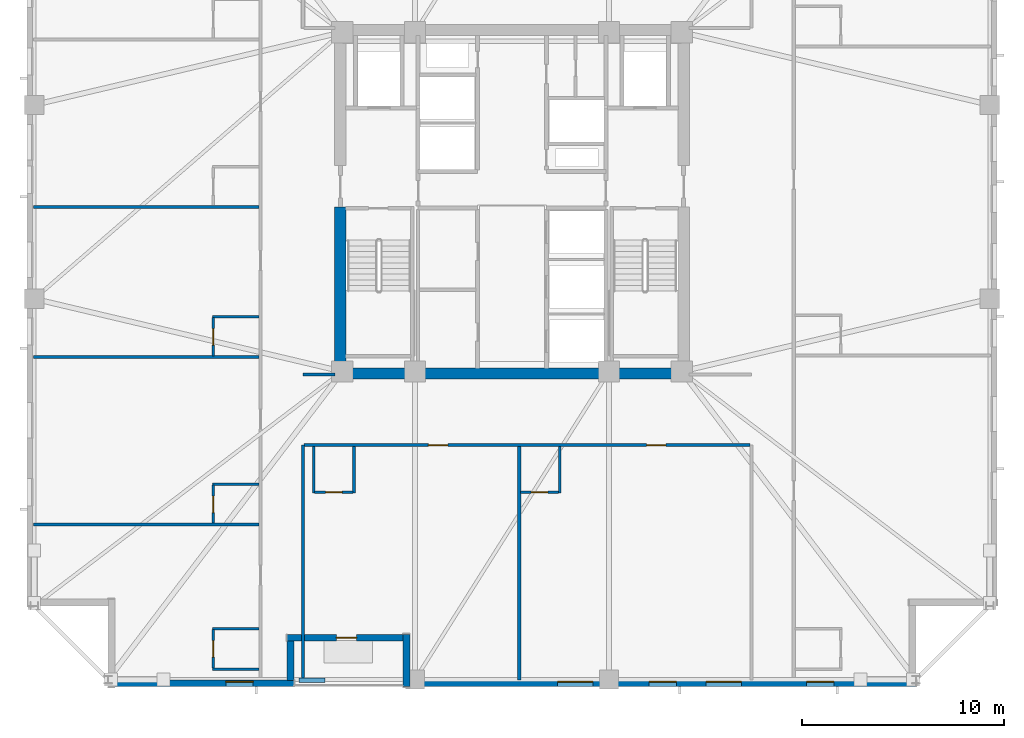
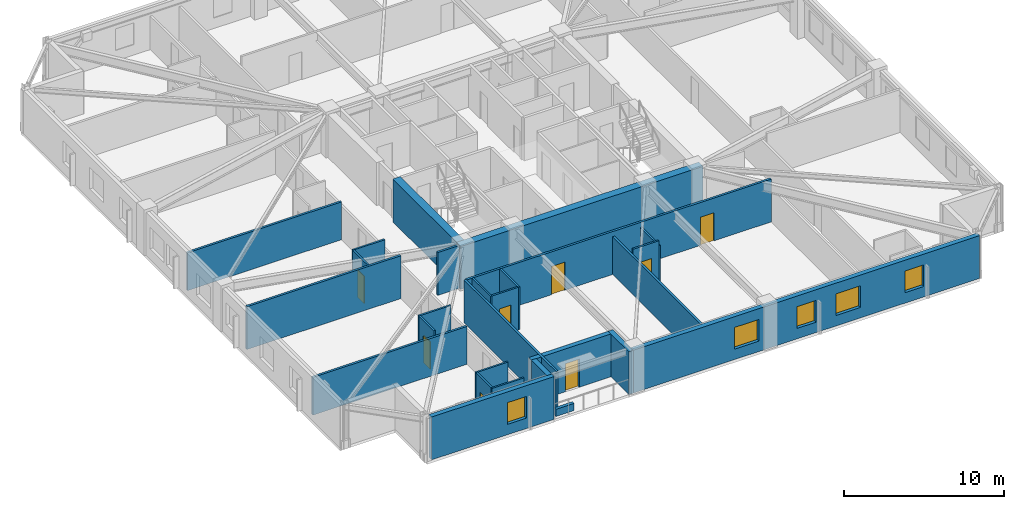
# One storey, part 2 of 11: 27 walls, 8 doors, 5 windows, 13 openings.
"""IFC4 building model written with IfcOpenShell, lengths in metres."""

from ifc_helpers import new_model, si_unit, direction, frame, frame_2d, origin, place, context, subcontext, project, spatial, rectangle, extrude, material, layer, layer_set, type_object, element, fill, save


model = new_model("IFC4")

# Units and contexts
model_context = context("Model", 3, precision=1e-05, world=origin(), true_north=direction((0.0, 1.0)))
body_context = subcontext(model_context, "Body", "Model", "MODEL_VIEW")
ifc_project = project(units=[si_unit("LENGTHUNIT", "METRE"), si_unit("AREAUNIT", "SQUARE_METRE"), si_unit("VOLUMEUNIT", "CUBIC_METRE"), si_unit("PLANEANGLEUNIT", "RADIAN"), si_unit("MASSUNIT", "GRAM", prefix="KILO")], contexts=[model_context])

# Site, building, storey
site_placement = place(None, origin())
site = spatial("IfcSite", under=ifc_project, at=site_placement, CompositionType="ELEMENT")
building_placement = place(site_placement, origin())
building = spatial("IfcBuilding", under=site, at=building_placement, Name="Cairnveth Concourse Tower", CompositionType="ELEMENT")
storey_placement = place(building_placement, frame((0.0, 0.0, 148.0)))
storey = spatial("IfcBuildingStorey", under=building, at=storey_placement, Name="L40", CompositionType="ELEMENT", Elevation=148.0)

# Walls
ifc_material_1 = material(Name="Gypsum Plasterboard Partition", Category="gypsum")
ifc_layer_1 = layer(ifc_material_1, 0.159912109375)
ifc_layer_set_1 = layer_set([ifc_layer_1], Name="Gypsum Plasterboard Partition")
wall_type_1 = type_object("IfcWallType", Name="ACOUSTIC PARTY WALL 180", PredefinedType="PARTITIONING", material=ifc_layer_set_1)
wall_1_placement = place(storey_placement, frame((41.64990234375, 15.4150390625, 0.0), z_axis=(0.0, 0.0, 1.0), x_axis=(0.0, 1.0, 0.0)))
element("IfcWall", 1, at=wall_1_placement, inside=storey, type_object=wall_type_1, Name="Interior Wall IW-L40-038", PredefinedType="PARTITIONING", context=body_context, shape_type="SweptSolid", body=[
    extrude(rectangle(XDim=11.544921875, YDim=0.159912109375, at=frame_2d((5.7724609375, 0.0))), origin(), (0.0, 0.0, 1.0), 3.280029296875),
])
wall_2_placement = place(storey_placement, frame((41.64990234375, 30.449951171875, 0.0), z_axis=(0.0, 0.0, 1.0), x_axis=(1.0, 0.0, 0.0)))
element("IfcWall", 2, at=wall_2_placement, inside=storey, type_object=wall_type_1, Name="Interior Wall IW-L40-040", PredefinedType="PARTITIONING", context=body_context, shape_type="SweptSolid", body=[
    extrude(rectangle(XDim=1.585205078125, YDim=0.159912109375, at=frame_2d((0.79248046875, 0.0))), origin(), (0.0, 0.0, 1.0), 3.280029296875),
])

# Wall, openings, doors
wall_3_placement = place(storey_placement, frame((41.715087890625, 26.9599609375, 0.0), z_axis=(0.0, 0.0, 1.0), x_axis=(1.0, 0.0, 0.0)))
wall_3 = element("IfcWall", 3, at=wall_3_placement, inside=storey, type_object=wall_type_1, Name="Interior Wall IW-L40-047", PredefinedType="PARTITIONING", context=body_context, shape_type="SweptSolid", body=[
    extrude(rectangle(XDim=22.06982421875, YDim=0.159912109375, at=frame_2d((11.034912109375, 0.0))), origin(), (0.0, 0.0, 1.0), 3.280029296875),
])
opening_1_placement = place(wall_3_placement, frame((6.14990234375, 0.0, 0.0)))
opening_1 = element("IfcOpeningElement", 4, at=opening_1_placement, cuts=wall_3, Name="Opening ID09", PredefinedType="OPENING", context=body_context, shape_type="SweptSolid", body=[
    extrude(rectangle(XDim=0.9599609375, YDim=2.14990234375, at=frame_2d((0.47998046875, 1.074951171875))), frame((0.0, 0.08984375, 0.0), z_axis=(0.0, -1.0, 0.0), x_axis=(1.0, 0.0, 0.0)), (0.0, 0.0, 1.0), 0.179931640625),
])
opening_2_placement = place(wall_3_placement, frame((16.945068359375, 0.0, 0.0)))
opening_2 = element("IfcOpeningElement", 5, at=opening_2_placement, cuts=wall_3, Name="Opening ID09", PredefinedType="OPENING", context=body_context, shape_type="SweptSolid", body=[
    extrude(rectangle(XDim=0.9599609375, YDim=2.14990234375, at=frame_2d((0.47998046875, 1.074951171875))), frame((0.0, 0.08984375, 0.0), z_axis=(0.0, -1.0, 0.0), x_axis=(1.0, 0.0, 0.0)), (0.0, 0.0, 1.0), 0.179931640625),
])
ifc_material_2 = material(Name="Solid Core Hardwood Timber Leaf", Category="wood")
door_type_1 = type_object("IfcDoorType", Name="HOTEL ENTRANCE DOOR 960X2150", OperationType="NOTDEFINED", PredefinedType="DOOR", material=ifc_material_2)
door_1_placement = place(opening_1_placement, origin())
door_1 = element("IfcDoor", 6, at=door_1_placement, inside=storey, type_object=door_type_1, Name="Hotel Room Door L40-S1", OperationType="SINGLE_SWING_RIGHT", OverallHeight=2.14990234375, OverallWidth=0.9599609375, PredefinedType="DOOR", context=body_context, shape_type="SweptSolid", body=[
    extrude(rectangle(XDim=0.9599609375, YDim=2.14990234375, at=frame_2d((0.47998046875, 1.074951171875))), frame((0.0, 0.02490234375, 0.0), z_axis=(0.0, -1.0, 0.0), x_axis=(1.0, 0.0, 0.0)), (0.0, 0.0, 1.0), 0.050048828125),
])
fill(opening_1, door_1)
door_2_placement = place(opening_2_placement, origin())
door_2 = element("IfcDoor", 7, at=door_2_placement, inside=storey, type_object=door_type_1, Name="Hotel Room Door L40-S2", OperationType="SINGLE_SWING_RIGHT", OverallHeight=2.14990234375, OverallWidth=0.9599609375, PredefinedType="DOOR", context=body_context, shape_type="SweptSolid", body=[
    extrude(rectangle(XDim=0.9599609375, YDim=2.14990234375, at=frame_2d((0.47998046875, 1.074951171875))), frame((0.0, 0.02490234375, 0.0), z_axis=(0.0, -1.0, 0.0), x_axis=(1.0, 0.0, 0.0)), (0.0, 0.0, 1.0), 0.050048828125),
])
fill(opening_2, door_2)

# Walls
wall_4_placement = place(storey_placement, frame((52.360107421875, 15.324951171875, 0.0), z_axis=(0.0, 0.0, 1.0), x_axis=(0.0, 1.0, 0.0)))
element("IfcWall", 8, at=wall_4_placement, inside=storey, type_object=wall_type_1, Name="Interior Wall IW-L40-053", PredefinedType="PARTITIONING", context=body_context, shape_type="SweptSolid", body=[
    extrude(rectangle(XDim=11.554931640625, YDim=0.159912109375, at=frame_2d((5.77734375, 0.0))), origin(), (0.0, 0.0, 1.0), 2.89599609375),
])
wall_5_placement = place(storey_placement, frame((28.324951171875, 23.026611328125, 0.0), z_axis=(0.0, 0.0, 1.0), x_axis=(1.0, 0.0, 0.0)))
element("IfcWall", 9, at=wall_5_placement, inside=storey, type_object=wall_type_1, Name="Interior Wall IW-L40-059", PredefinedType="PARTITIONING", context=body_context, shape_type="SweptSolid", body=[
    extrude(rectangle(XDim=11.14501953125, YDim=0.159912109375, at=frame_2d((5.572509765625, 0.0))), origin(), (0.0, 0.0, 1.0), 2.89599609375),
])
wall_6_placement = place(storey_placement, frame((28.324951171875, 31.3154296875, 0.0), z_axis=(0.0, 0.0, 1.0), x_axis=(1.0, 0.0, 0.0)))
element("IfcWall", 10, at=wall_6_placement, inside=storey, type_object=wall_type_1, Name="Interior Wall IW-L40-062", PredefinedType="PARTITIONING", context=body_context, shape_type="SweptSolid", body=[
    extrude(rectangle(XDim=11.14501953125, YDim=0.159912109375, at=frame_2d((5.572509765625, 0.0))), origin(), (0.0, 0.0, 1.0), 3.280029296875),
])
wall_7_placement = place(storey_placement, frame((28.324951171875, 38.74658203125, 0.0), z_axis=(0.0, 0.0, 1.0), x_axis=(1.0, 0.0, 0.0)))
element("IfcWall", 11, at=wall_7_placement, inside=storey, type_object=wall_type_1, Name="Interior Wall IW-L40-065", PredefinedType="PARTITIONING", context=body_context, shape_type="SweptSolid", body=[
    extrude(rectangle(XDim=11.14501953125, YDim=0.159912109375, at=frame_2d((5.572509765625, 0.0))), origin(), (0.0, 0.0, 1.0), 2.89599609375),
])
ifc_material_3 = material(Name="Concrete N80 (80 MPa)", Category="concrete")
ifc_layer_2 = layer(ifc_material_3, 0.550048828125)
ifc_layer_set_2 = layer_set([ifc_layer_2], Name="Concrete N80 (80 MPa)")
wall_type_2 = type_object("IfcWallType", Name="CORE SHEAR WALL 550", PredefinedType="SHEAR", material=ifc_layer_set_2)
wall_8_placement = place(storey_placement, frame((43.22509765625, 30.5, 0.0), z_axis=(0.0, 0.0, 1.0), x_axis=(1.0, 0.0, 0.0)))
element("IfcWall", 12, at=wall_8_placement, inside=storey, type_object=wall_type_2, Name="Core South Shear Wall L40", PredefinedType="SHEAR", context=body_context, shape_type="SweptSolid", body=[
    extrude(rectangle(XDim=17.5498046875, YDim=0.550048828125, at=frame_2d((8.77490234375, 0.0))), origin(), (0.0, 0.0, 1.0), 3.280029296875),
])
wall_9_placement = place(storey_placement, frame((43.5, 30.764892578125, 0.0), z_axis=(0.0, 0.0, 1.0), x_axis=(0.0, 1.0, 0.0)))
element("IfcWall", 13, at=wall_9_placement, inside=storey, type_object=wall_type_2, Name="Core West Shear Wall S L40", PredefinedType="SHEAR", context=body_context, shape_type="SweptSolid", body=[
    extrude(rectangle(XDim=7.985107421875, YDim=0.550048828125, at=frame_2d((3.99267578125, 0.0))), origin(), (0.0, 0.0, 1.0), 3.280029296875),
])
ifc_material_4 = material(Name="Dressed Melbourne Bluestone Cladding", Category="masonry")
ifc_layer_3 = layer(ifc_material_4, 0.219970703125)
ifc_layer_set_3 = layer_set([ifc_layer_3], Name="Dressed Melbourne Bluestone Cladding")
wall_type_3 = type_object("IfcWallType", Name="TERRACE PLANTER CURB WALL 220", PredefinedType="PARAPET", material=ifc_layer_set_3)
wall_10_placement = place(storey_placement, frame((41.449951171875, 15.320068359375, 0.0), z_axis=(0.0, 0.0, 1.0), x_axis=(1.0, 0.0, 0.0)))
element("IfcWall", 14, at=wall_10_placement, inside=storey, type_object=wall_type_3, Name="Exterior Wall PLNT-L40-TERR", PredefinedType="PARAPET", context=body_context, shape_type="SweptSolid", body=[
    extrude(rectangle(XDim=1.300048828125, YDim=0.219970703125, at=frame_2d((0.64990234375, 0.0))), origin(), (0.0, 0.0, 1.0), 0.550048828125),
])
ifc_layer_4 = layer(ifc_material_1, 0.1298828125)
ifc_layer_set_4 = layer_set([ifc_layer_4], Name="Gypsum Plasterboard Partition")
wall_type_4 = type_object("IfcWallType", Name="WET AREA PARTITION 140", PredefinedType="PLUMBINGWALL", material=ifc_layer_set_4)
for number, where, z_axis, x_axis, name in (
    (15, (42.179931640625, 24.580078125, 0.0), (0.0, 0.0, 1.0), (0.0, 1.0, 0.0), "Interior Wall IW-L40-050"),
    (16, (44.179931640625, 24.580078125, 0.0), (0.0, 0.0, 1.0), (0.0, 1.0, 0.0), "Interior Wall IW-L40-051"),
):
    element("IfcWall", number, at=place(storey_placement, frame(where, z_axis=z_axis, x_axis=x_axis)), inside=storey, type_object=wall_type_4, Name=name, PredefinedType="PLUMBINGWALL", context=body_context, shape_type="SweptSolid", body=[
        extrude(rectangle(XDim=2.31494140625, YDim=0.1298828125, at=frame_2d((1.157470703125, 0.0))), origin(), (0.0, 0.0, 1.0), 3.280029296875),
    ])

# Wall, opening, door
wall_11_placement = place(storey_placement, frame((42.22998046875, 24.6298828125, 0.0), z_axis=(0.0, 0.0, 1.0), x_axis=(1.0, 0.0, 0.0)))
wall_11 = element("IfcWall", 17, at=wall_11_placement, inside=storey, type_object=wall_type_4, Name="Interior Wall IW-L40-052", PredefinedType="PLUMBINGWALL", context=body_context, shape_type="SweptSolid", body=[
    extrude(rectangle(XDim=1.89990234375, YDim=0.1298828125, at=frame_2d((0.949951171875, 0.0))), origin(), (0.0, 0.0, 1.0), 3.280029296875),
])
opening_3_placement = place(wall_11_placement, frame((0.5400390625, 0.0, 0.0)))
opening_3 = element("IfcOpeningElement", 18, at=opening_3_placement, cuts=wall_11, Name="Opening ID22", PredefinedType="OPENING", context=body_context, shape_type="SweptSolid", body=[
    extrude(rectangle(XDim=0.820068359375, YDim=2.10009765625, at=frame_2d((0.41015625, 1.050048828125))), frame((0.0, 0.074951171875, 0.0), z_axis=(0.0, -1.0, 0.0), x_axis=(1.0, 0.0, 0.0)), (0.0, 0.0, 1.0), 0.14990234375),
])
door_type_2 = type_object("IfcDoorType", Name="INTERIOR WC DOOR 820X2100", OperationType="NOTDEFINED", PredefinedType="DOOR", material=ifc_material_2)
door_3_placement = place(opening_3_placement, origin())
door_3 = element("IfcDoor", 19, at=door_3_placement, inside=storey, type_object=door_type_2, Name="En-Suite Door L40-S1", OperationType="SINGLE_SWING_LEFT", OverallHeight=2.10009765625, OverallWidth=0.820068359375, PredefinedType="DOOR", context=body_context, shape_type="SweptSolid", body=[
    extrude(rectangle(XDim=0.820068359375, YDim=2.10009765625, at=frame_2d((0.41015625, 1.050048828125))), frame((0.0, 0.02490234375, 0.0), z_axis=(0.0, -1.0, 0.0), x_axis=(1.0, 0.0, 0.0)), (0.0, 0.0, 1.0), 0.050048828125),
])
fill(opening_3, door_3)

# Wall
wall_12_placement = place(storey_placement, frame((54.360107421875, 24.580078125, 0.0), z_axis=(0.0, 0.0, 1.0), x_axis=(0.0, 1.0, 0.0)))
element("IfcWall", 20, at=wall_12_placement, inside=storey, type_object=wall_type_4, Name="Interior Wall IW-L40-054", PredefinedType="PLUMBINGWALL", context=body_context, shape_type="SweptSolid", body=[
    extrude(rectangle(XDim=2.31494140625, YDim=0.1298828125, at=frame_2d((1.157470703125, 0.0))), origin(), (0.0, 0.0, 1.0), 2.89599609375),
])

# Wall, opening, door
wall_13_placement = place(storey_placement, frame((52.425048828125, 24.6298828125, 0.0), z_axis=(0.0, 0.0, 1.0), x_axis=(1.0, 0.0, 0.0)))
wall_13 = element("IfcWall", 21, at=wall_13_placement, inside=storey, type_object=wall_type_4, Name="Interior Wall IW-L40-055", PredefinedType="PLUMBINGWALL", context=body_context, shape_type="SweptSolid", body=[
    extrude(rectangle(XDim=1.885009765625, YDim=0.1298828125, at=frame_2d((0.9423828125, 0.0))), origin(), (0.0, 0.0, 1.0), 3.280029296875),
])
opening_4_placement = place(wall_13_placement, frame((0.52490234375, 0.0, 0.0)))
opening_4 = element("IfcOpeningElement", 22, at=opening_4_placement, cuts=wall_13, Name="Opening ID22", PredefinedType="OPENING", context=body_context, shape_type="SweptSolid", body=[
    extrude(rectangle(XDim=0.820068359375, YDim=2.10009765625, at=frame_2d((0.41015625, 1.050048828125))), frame((0.0, 0.074951171875, 0.0), z_axis=(0.0, -1.0, 0.0), x_axis=(1.0, 0.0, 0.0)), (0.0, 0.0, 1.0), 0.14990234375),
])
door_4_placement = place(opening_4_placement, origin())
door_4 = element("IfcDoor", 23, at=door_4_placement, inside=storey, type_object=door_type_2, Name="En-Suite Door L40-S2", OperationType="SINGLE_SWING_LEFT", OverallHeight=2.10009765625, OverallWidth=0.820068359375, PredefinedType="DOOR", context=body_context, shape_type="SweptSolid", body=[
    extrude(rectangle(XDim=0.820068359375, YDim=2.10009765625, at=frame_2d((0.41015625, 1.050048828125))), frame((0.0, 0.02490234375, 0.0), z_axis=(0.0, -1.0, 0.0), x_axis=(1.0, 0.0, 0.0)), (0.0, 0.0, 1.0), 0.050048828125),
])
fill(opening_4, door_4)

# Walls
for number, where, z_axis, x_axis, name in (
    (24, (37.169921875, 15.8701171875, 0.0), (0.0, 0.0, 1.0), (1.0, 0.0, 0.0), "Interior Wall IW-L40-056"),
    (25, (37.169921875, 17.8701171875, 0.0), (0.0, 0.0, 1.0), (1.0, 0.0, 0.0), "Interior Wall IW-L40-057"),
):
    element("IfcWall", number, at=place(storey_placement, frame(where, z_axis=z_axis, x_axis=x_axis)), inside=storey, type_object=wall_type_4, Name=name, PredefinedType="PLUMBINGWALL", context=body_context, shape_type="SweptSolid", body=[
        extrude(rectangle(XDim=2.315185546875, YDim=0.1298828125, at=frame_2d((1.15771484375, 0.0))), origin(), (0.0, 0.0, 1.0), 3.280029296875),
    ])

# Wall, opening, door
wall_14_placement = place(storey_placement, frame((37.219970703125, 15.919921875, 0.0), z_axis=(0.0, 0.0, 1.0), x_axis=(0.0, 1.0, 0.0)))
wall_14 = element("IfcWall", 26, at=wall_14_placement, inside=storey, type_object=wall_type_4, Name="Interior Wall IW-L40-058", PredefinedType="PLUMBINGWALL", context=body_context, shape_type="SweptSolid", body=[
    extrude(rectangle(XDim=1.900146484375, YDim=0.1298828125, at=frame_2d((0.9501953125, 0.0))), origin(), (0.0, 0.0, 1.0), 3.280029296875),
])
opening_5_placement = place(wall_14_placement, frame((0.5400390625, 0.0, 0.0)))
opening_5 = element("IfcOpeningElement", 27, at=opening_5_placement, cuts=wall_14, Name="Opening ID22", PredefinedType="OPENING", context=body_context, shape_type="SweptSolid", body=[
    extrude(rectangle(XDim=0.820068359375, YDim=2.10009765625, at=frame_2d((0.41015625, 1.050048828125))), frame((0.0, 0.074951171875, 0.0), z_axis=(0.0, -1.0, 0.0), x_axis=(1.0, 0.0, 0.0)), (0.0, 0.0, 1.0), 0.14990234375),
])
door_5_placement = place(opening_5_placement, origin())
door_5 = element("IfcDoor", 28, at=door_5_placement, inside=storey, type_object=door_type_2, Name="En-Suite Door L40-W1", OperationType="SINGLE_SWING_LEFT", OverallHeight=2.10009765625, OverallWidth=0.820068359375, PredefinedType="DOOR", context=body_context, shape_type="SweptSolid", body=[
    extrude(rectangle(XDim=0.820068359375, YDim=2.10009765625, at=frame_2d((0.41015625, 1.050048828125))), frame((0.0, 0.02490234375, 0.0), z_axis=(0.0, -1.0, 0.0), x_axis=(1.0, 0.0, 0.0)), (0.0, 0.0, 1.0), 0.050048828125),
])
fill(opening_5, door_5)

# Wall
wall_15_placement = place(storey_placement, frame((37.169921875, 25.026611328125, 0.0), z_axis=(0.0, 0.0, 1.0), x_axis=(1.0, 0.0, 0.0)))
element("IfcWall", 29, at=wall_15_placement, inside=storey, type_object=wall_type_4, Name="Interior Wall IW-L40-060", PredefinedType="PLUMBINGWALL", context=body_context, shape_type="SweptSolid", body=[
    extrude(rectangle(XDim=2.315185546875, YDim=0.1298828125, at=frame_2d((1.15771484375, 0.0))), origin(), (0.0, 0.0, 1.0), 3.280029296875),
])

# Wall, opening, door
wall_16_placement = place(storey_placement, frame((37.219970703125, 23.091552734375, 0.0), z_axis=(0.0, 0.0, 1.0), x_axis=(0.0, 1.0, 0.0)))
wall_16 = element("IfcWall", 30, at=wall_16_placement, inside=storey, type_object=wall_type_4, Name="Interior Wall IW-L40-061", PredefinedType="PLUMBINGWALL", context=body_context, shape_type="SweptSolid", body=[
    extrude(rectangle(XDim=1.885009765625, YDim=0.1298828125, at=frame_2d((0.9423828125, 0.0))), origin(), (0.0, 0.0, 1.0), 3.280029296875),
])
opening_6_placement = place(wall_16_placement, frame((0.52490234375, 0.0, 0.0)))
opening_6 = element("IfcOpeningElement", 31, at=opening_6_placement, cuts=wall_16, Name="Opening ID22", PredefinedType="OPENING", context=body_context, shape_type="SweptSolid", body=[
    extrude(rectangle(XDim=0.820068359375, YDim=2.10009765625, at=frame_2d((0.41015625, 1.050048828125))), frame((0.0, 0.074951171875, 0.0), z_axis=(0.0, -1.0, 0.0), x_axis=(1.0, 0.0, 0.0)), (0.0, 0.0, 1.0), 0.14990234375),
])
door_6_placement = place(opening_6_placement, origin())
door_6 = element("IfcDoor", 32, at=door_6_placement, inside=storey, type_object=door_type_2, Name="En-Suite Door L40-W2", OperationType="SINGLE_SWING_LEFT", OverallHeight=2.10009765625, OverallWidth=0.820068359375, PredefinedType="DOOR", context=body_context, shape_type="SweptSolid", body=[
    extrude(rectangle(XDim=0.820068359375, YDim=2.10009765625, at=frame_2d((0.41015625, 1.050048828125))), frame((0.0, 0.02490234375, 0.0), z_axis=(0.0, -1.0, 0.0), x_axis=(1.0, 0.0, 0.0)), (0.0, 0.0, 1.0), 0.050048828125),
])
fill(opening_6, door_6)

# Wall
wall_17_placement = place(storey_placement, frame((37.169921875, 33.3154296875, 0.0), z_axis=(0.0, 0.0, 1.0), x_axis=(1.0, 0.0, 0.0)))
element("IfcWall", 33, at=wall_17_placement, inside=storey, type_object=wall_type_4, Name="Interior Wall IW-L40-063", PredefinedType="PLUMBINGWALL", context=body_context, shape_type="SweptSolid", body=[
    extrude(rectangle(XDim=2.315185546875, YDim=0.1298828125, at=frame_2d((1.15771484375, 0.0))), origin(), (0.0, 0.0, 1.0), 3.280029296875),
])

# Wall, opening, door
wall_18_placement = place(storey_placement, frame((37.219970703125, 31.380615234375, 0.0), z_axis=(0.0, 0.0, 1.0), x_axis=(0.0, 1.0, 0.0)))
wall_18 = element("IfcWall", 34, at=wall_18_placement, inside=storey, type_object=wall_type_4, Name="Interior Wall IW-L40-064", PredefinedType="PLUMBINGWALL", context=body_context, shape_type="SweptSolid", body=[
    extrude(rectangle(XDim=1.884765625, YDim=0.1298828125, at=frame_2d((0.9423828125, 0.0))), origin(), (0.0, 0.0, 1.0), 3.280029296875),
])
opening_7_placement = place(wall_18_placement, frame((0.52490234375, 0.0, 0.0)))
opening_7 = element("IfcOpeningElement", 35, at=opening_7_placement, cuts=wall_18, Name="Opening ID22", PredefinedType="OPENING", context=body_context, shape_type="SweptSolid", body=[
    extrude(rectangle(XDim=0.820068359375, YDim=2.10009765625, at=frame_2d((0.41015625, 1.050048828125))), frame((0.0, 0.074951171875, 0.0), z_axis=(0.0, -1.0, 0.0), x_axis=(1.0, 0.0, 0.0)), (0.0, 0.0, 1.0), 0.14990234375),
])
door_7_placement = place(opening_7_placement, origin())
door_7 = element("IfcDoor", 36, at=door_7_placement, inside=storey, type_object=door_type_2, Name="En-Suite Door L40-W3", OperationType="SINGLE_SWING_LEFT", OverallHeight=2.10009765625, OverallWidth=0.820068359375, PredefinedType="DOOR", context=body_context, shape_type="SweptSolid", body=[
    extrude(rectangle(XDim=0.820068359375, YDim=2.10009765625, at=frame_2d((0.41015625, 1.050048828125))), frame((0.0, 0.02490234375, 0.0), z_axis=(0.0, -1.0, 0.0), x_axis=(1.0, 0.0, 0.0)), (0.0, 0.0, 1.0), 0.050048828125),
])
fill(opening_7, door_7)

# Wall, opening, window
ifc_material_5 = material(Name="Hawthorn Red-Ochre Fired Clay Brick Masonry", Category="masonry")
ifc_layer_5 = layer(ifc_material_5, 0.340087890625)
ifc_layer_set_5 = layer_set([ifc_layer_5], Name="Hawthorn Red-Ochre Fired Clay Brick Masonry")
wall_type_5 = type_object("IfcWallType", Name="ZONE 2 BRICK PIER SPANDREL WALL 340", PredefinedType="SOLIDWALL", material=ifc_layer_set_5)
wall_19_placement = place(storey_placement, frame((41.199951171875, 15.169921875, 0.0), z_axis=(0.0, 0.0, 1.0), x_axis=(-1.0, 0.0, 0.0)))
wall_19 = element("IfcWall", 37, at=wall_19_placement, inside=storey, type_object=wall_type_5, Name="Exterior Wall EW-L40-S00", PredefinedType="SOLIDWALL", context=body_context, shape_type="SweptSolid", body=[
    extrude(rectangle(XDim=8.8818359375, YDim=0.340087890625, at=frame_2d((4.44091796875, 0.0))), origin(), (0.0, 0.0, 1.0), 3.280029296875),
])
opening_8_placement = place(wall_19_placement, frame((2.01611328125, 0.0, 0.800048828125)))
opening_8 = element("IfcOpeningElement", 38, at=opening_8_placement, cuts=wall_19, Name="Opening W02", PredefinedType="OPENING", context=body_context, shape_type="SweptSolid", body=[
    extrude(rectangle(XDim=1.35009765625, YDim=1.659912109375, at=frame_2d((0.675048828125, 0.830078125))), frame((0.0, 0.179931640625, 0.0), z_axis=(0.0, -1.0, 0.0), x_axis=(1.0, 0.0, 0.0)), (0.0, 0.0, 1.0), 0.360107421875),
])
ifc_material_6 = material(Name="Double Glazed Low-E Clear Glass", Category="glass")
window_type_1 = type_object("IfcWindowType", Name="DEEP-SET GOTHIC LANCET WINDOW 1350X1800", PartitioningType="DOUBLE_PANEL_VERTICAL", PredefinedType="WINDOW", material=ifc_material_6)
window_1_placement = place(opening_8_placement, origin())
window_1 = element("IfcWindow", 39, at=window_1_placement, inside=storey, type_object=window_type_1, Name="Gothic Lancet Window L40-0-1", OverallHeight=1.659912109375, OverallWidth=1.35009765625, PartitioningType="SINGLE_PANEL", PredefinedType="WINDOW", context=body_context, shape_type="SweptSolid", body=[
    extrude(rectangle(XDim=1.35009765625, YDim=1.659912109375, at=frame_2d((0.675048828125, 0.830078125))), frame((0.0, -0.050048828125, 0.0), z_axis=(0.0, -1.0, 0.0), x_axis=(1.0, 0.0, 0.0)), (0.0, 0.0, 1.0), 0.06005859375),
])
fill(opening_8, window_1)

# Wall, openings, windows
wall_20_placement = place(storey_placement, frame((72.0, 15.169921875, 0.0), z_axis=(0.0, 0.0, 1.0), x_axis=(-1.0, 0.0, 0.0)))
wall_20 = element("IfcWall", 40, at=wall_20_placement, inside=storey, type_object=wall_type_5, Name="Exterior Wall EW-L40-S12", PredefinedType="SOLIDWALL", context=body_context, shape_type="SweptSolid", body=[
    extrude(rectangle(XDim=25.08203125, YDim=0.340087890625, at=frame_2d((12.541015625, 0.0))), origin(), (0.0, 0.0, 1.0), 3.280029296875),
])
opening_9_placement = place(wall_20_placement, frame((4.063232421875, 0.0, 0.800048828125)))
opening_9 = element("IfcOpeningElement", 41, at=opening_9_placement, cuts=wall_20, Name="Opening W02", PredefinedType="OPENING", context=body_context, shape_type="SweptSolid", body=[
    extrude(rectangle(XDim=1.35009765625, YDim=1.659912109375, at=frame_2d((0.675048828125, 0.830078125))), frame((0.0, 0.179931640625, 0.0), z_axis=(0.0, -1.0, 0.0), x_axis=(1.0, 0.0, 0.0)), (0.0, 0.0, 1.0), 0.360107421875),
])
opening_10_placement = place(wall_20_placement, frame((8.6396484375, 0.0, 0.800048828125)))
opening_10 = element("IfcOpeningElement", 42, at=opening_10_placement, cuts=wall_20, Name="Opening W06", PredefinedType="OPENING", context=body_context, shape_type="SweptSolid", body=[
    extrude(rectangle(XDim=1.75, YDim=1.659912109375, at=frame_2d((0.875, 0.830078125))), frame((0.0, 0.179931640625, 0.0), z_axis=(0.0, -1.0, 0.0), x_axis=(1.0, 0.0, 0.0)), (0.0, 0.0, 1.0), 0.360107421875),
])
opening_11_placement = place(wall_20_placement, frame((11.865966796875, 0.0, 0.800048828125)))
opening_11 = element("IfcOpeningElement", 43, at=opening_11_placement, cuts=wall_20, Name="Opening W02", PredefinedType="OPENING", context=body_context, shape_type="SweptSolid", body=[
    extrude(rectangle(XDim=1.35009765625, YDim=1.659912109375, at=frame_2d((0.675048828125, 0.830078125))), frame((0.0, 0.179931640625, 0.0), z_axis=(0.0, -1.0, 0.0), x_axis=(1.0, 0.0, 0.0)), (0.0, 0.0, 1.0), 0.360107421875),
])
opening_12_placement = place(wall_20_placement, frame((15.992431640625, 0.0, 0.800048828125)))
opening_12 = element("IfcOpeningElement", 44, at=opening_12_placement, cuts=wall_20, Name="Opening W06", PredefinedType="OPENING", context=body_context, shape_type="SweptSolid", body=[
    extrude(rectangle(XDim=1.75, YDim=1.659912109375, at=frame_2d((0.875, 0.830078125))), frame((0.0, 0.179931640625, 0.0), z_axis=(0.0, -1.0, 0.0), x_axis=(1.0, 0.0, 0.0)), (0.0, 0.0, 1.0), 0.360107421875),
])
window_2_placement = place(opening_9_placement, origin())
window_2 = element("IfcWindow", 45, at=window_2_placement, inside=storey, type_object=window_type_1, Name="Gothic Lancet Window L40-12-1", OverallHeight=1.659912109375, OverallWidth=1.35009765625, PartitioningType="SINGLE_PANEL", PredefinedType="WINDOW", context=body_context, shape_type="SweptSolid", body=[
    extrude(rectangle(XDim=1.35009765625, YDim=1.659912109375, at=frame_2d((0.675048828125, 0.830078125))), frame((0.0, -0.050048828125, 0.0), z_axis=(0.0, -1.0, 0.0), x_axis=(1.0, 0.0, 0.0)), (0.0, 0.0, 1.0), 0.06005859375),
])
fill(opening_9, window_2)
window_3_placement = place(opening_11_placement, origin())
window_3 = element("IfcWindow", 46, at=window_3_placement, inside=storey, type_object=window_type_1, Name="Gothic Lancet Window L40-12-3", OverallHeight=1.659912109375, OverallWidth=1.35009765625, PartitioningType="SINGLE_PANEL", PredefinedType="WINDOW", context=body_context, shape_type="SweptSolid", body=[
    extrude(rectangle(XDim=1.35009765625, YDim=1.659912109375, at=frame_2d((0.675048828125, 0.830078125))), frame((0.0, -0.050048828125, 0.0), z_axis=(0.0, -1.0, 0.0), x_axis=(1.0, 0.0, 0.0)), (0.0, 0.0, 1.0), 0.06005859375),
])
fill(opening_11, window_3)
window_type_2 = type_object("IfcWindowType", Name="DEEP-SET HOTEL SUITE WINDOW 1750X1800", PartitioningType="DOUBLE_PANEL_VERTICAL", PredefinedType="WINDOW", material=ifc_material_6)
window_4_placement = place(opening_10_placement, origin())
window_4 = element("IfcWindow", 47, at=window_4_placement, inside=storey, type_object=window_type_2, Name="Gothic Lancet Window L40-12-2", OverallHeight=1.659912109375, OverallWidth=1.75, PartitioningType="SINGLE_PANEL", PredefinedType="WINDOW", context=body_context, shape_type="SweptSolid", body=[
    extrude(rectangle(XDim=1.75, YDim=1.659912109375, at=frame_2d((0.875, 0.830078125))), frame((0.0, -0.050048828125, 0.0), z_axis=(0.0, -1.0, 0.0), x_axis=(1.0, 0.0, 0.0)), (0.0, 0.0, 1.0), 0.06005859375),
])
fill(opening_10, window_4)
window_5_placement = place(opening_12_placement, origin())
window_5 = element("IfcWindow", 48, at=window_5_placement, inside=storey, type_object=window_type_2, Name="Gothic Lancet Window L40-12-4", OverallHeight=1.659912109375, OverallWidth=1.75, PartitioningType="SINGLE_PANEL", PredefinedType="WINDOW", context=body_context, shape_type="SweptSolid", body=[
    extrude(rectangle(XDim=1.75, YDim=1.659912109375, at=frame_2d((0.875, 0.830078125))), frame((0.0, -0.050048828125, 0.0), z_axis=(0.0, -1.0, 0.0), x_axis=(1.0, 0.0, 0.0)), (0.0, 0.0, 1.0), 0.06005859375),
])
fill(opening_12, window_5)

# Wall
wall_21_placement = place(storey_placement, frame((46.77001953125, 15.0, 0.0), z_axis=(0.0, 0.0, 1.0), x_axis=(0.0, 1.0, 0.0)))
element("IfcWall", 49, at=wall_21_placement, inside=storey, type_object=wall_type_5, Name="Exterior Wall EW-L40-S13", PredefinedType="SOLIDWALL", context=body_context, shape_type="SweptSolid", body=[
    extrude(rectangle(XDim=2.590087890625, YDim=0.340087890625, at=frame_2d((1.294921875, 0.0))), origin(), (0.0, 0.0, 1.0), 3.280029296875),
])

# Wall, opening, door
wall_22_placement = place(storey_placement, frame((46.6220703125, 17.419921875, 0.0), z_axis=(0.0, 0.0, 1.0), x_axis=(-1.0, 0.0, 0.0)))
wall_22 = element("IfcWall", 50, at=wall_22_placement, inside=storey, type_object=wall_type_5, Name="Exterior Wall EW-L40-S14", PredefinedType="SOLIDWALL", context=body_context, shape_type="SweptSolid", body=[
    extrude(rectangle(XDim=5.761962890625, YDim=0.340087890625, at=frame_2d((2.880859375, 0.0))), origin(), (0.0, 0.0, 1.0), 3.280029296875),
])
opening_13_placement = place(wall_22_placement, frame((2.31103515625, 0.0, 0.0)))
opening_13 = element("IfcOpeningElement", 51, at=opening_13_placement, cuts=wall_22, Name="Opening ED4", PredefinedType="OPENING", context=body_context, shape_type="SweptSolid", body=[
    extrude(rectangle(XDim=1.0, YDim=2.14990234375, at=frame_2d((0.5, 1.074951171875))), frame((0.0, 0.179931640625, 0.0), z_axis=(0.0, -1.0, 0.0), x_axis=(1.0, 0.0, 0.0)), (0.0, 0.0, 1.0), 0.360107421875),
])
ifc_material_7 = material(Name="Architectural Bronze Anodised Aluminium 6063-T6", Category="aluminium")
door_type_3 = type_object("IfcDoorType", Name="TERRACE GLAZED DOOR 1000X2150", OperationType="NOTDEFINED", PredefinedType="DOOR", material=ifc_material_7)
door_8_placement = place(opening_13_placement, origin())
door_8 = element("IfcDoor", 52, at=door_8_placement, inside=storey, type_object=door_type_3, Name="Spiral Terrace Door L40", OperationType="SINGLE_SWING_LEFT", OverallHeight=2.14990234375, OverallWidth=1.0, PredefinedType="DOOR", context=body_context, shape_type="SweptSolid", body=[
    extrude(rectangle(XDim=1.0, YDim=2.14990234375, at=frame_2d((0.5, 1.074951171875))), frame((0.0, 0.02490234375, 0.0), z_axis=(0.0, -1.0, 0.0), x_axis=(1.0, 0.0, 0.0)), (0.0, 0.0, 1.0), 0.050048828125),
])
fill(opening_13, door_8)

# Wall
wall_23_placement = place(storey_placement, frame((41.030029296875, 17.27197265625, 0.0), z_axis=(0.0, 0.0, 1.0), x_axis=(0.0, -1.0, 0.0)))
element("IfcWall", 53, at=wall_23_placement, inside=storey, type_object=wall_type_5, Name="Exterior Wall EW-L40-S15", PredefinedType="SOLIDWALL", context=body_context, shape_type="SweptSolid", body=[
    extrude(rectangle(XDim=1.953857421875, YDim=0.340087890625, at=frame_2d((0.97705078125, 0.0))), origin(), (0.0, 0.0, 1.0), 3.280029296875),
])

save(model, "model.ifc")
